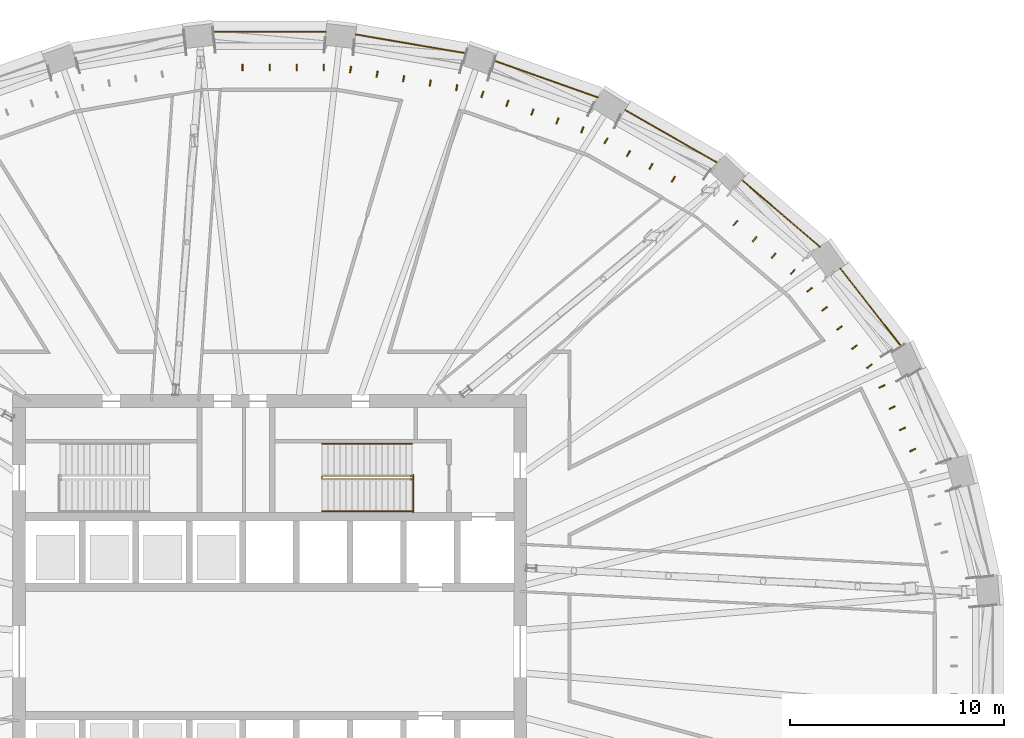
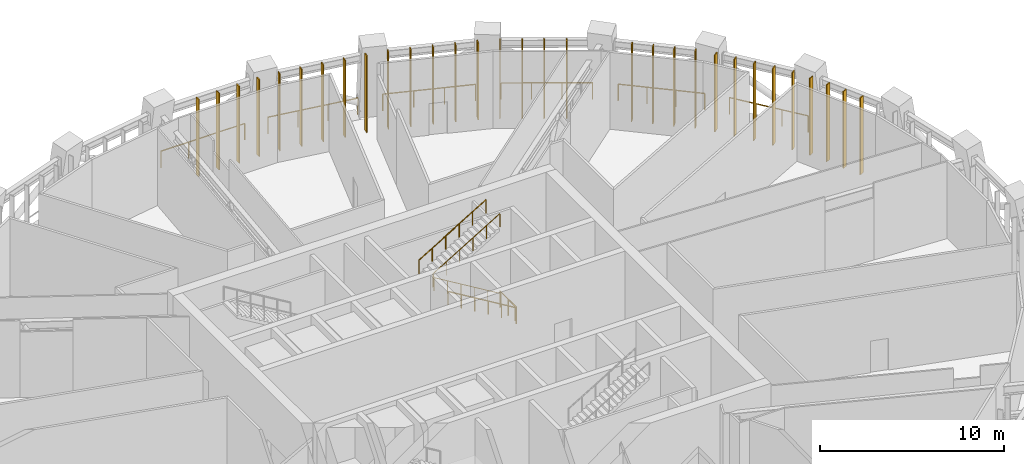
# One storey, part 19 of 21: 31 shading devices, 10 railings.
"""IFC4 building model written with IfcOpenShell, lengths in metres."""

from ifc_helpers import new_model, si_unit, direction, frame, origin, origin_2d, place, context, subcontext, project, spatial, rectangle, circle, extrude, material, material_profile, profile_set, type_object, element, save


model = new_model("IFC4")

# Units and contexts
model_context = context("Model", 3, precision=1e-05, world=origin(), true_north=direction((0.0, 1.0)))
body_context = subcontext(model_context, "Body", "Model", "MODEL_VIEW")
ifc_project = project(units=[si_unit("LENGTHUNIT", "METRE"), si_unit("AREAUNIT", "SQUARE_METRE"), si_unit("VOLUMEUNIT", "CUBIC_METRE"), si_unit("PLANEANGLEUNIT", "RADIAN"), si_unit("MASSUNIT", "GRAM", prefix="KILO")], contexts=[model_context])

# Site, building, storey
site_placement = place(None, origin())
site = spatial("IfcSite", under=ifc_project, at=site_placement, CompositionType="ELEMENT")
building_placement = place(site_placement, origin())
building = spatial("IfcBuilding", under=site, at=building_placement, Name="Halqa Exchange Tower", CompositionType="ELEMENT")
storey_placement = place(building_placement, frame((0.0, 0.0, 173.5)))
storey = spatial("IfcBuildingStorey", under=building, at=storey_placement, Name="L39", CompositionType="ELEMENT", Elevation=173.5)

# Shading devices
ifc_material_1 = material(Name="Anodised aluminium", Category="aluminium")
ifc_material_profile = material_profile(ifc_material_1, rectangle(XDim=0.300048828125, YDim=0.06005859375, at=origin_2d()), Name="AL FIN 300x60")
ifc_profile_set = profile_set([ifc_material_profile], Name="Anodised aluminium")
shading_device_type = type_object("IfcShadingDeviceType", Name="Aluminium louvre FIN 300 x 60", PredefinedType="USERDEFINED", material=ifc_profile_set)
for number, where, z_axis, x_axis, name in (
    (1, (30.026123046875, 9.40966796875, 0.0), (0.0, 0.0, 1.0), (-0.900378013542, -0.43510852983, 0.0), "Louvre FIN 2.2"),
    (2, (29.547607421875, 10.400390625, 0.0), (0.0, 0.0, 1.0), (-0.900378013542, -0.43510852983, 0.0), "Louvre FIN 2.3"),
    (3, (29.068603515625, 11.39111328125, 0.0), (0.0, 0.0, 1.0), (-0.900378013542, -0.43510852983, 0.0), "Louvre FIN 2.4"),
    (4, (28.58984375, 12.3818359375, 0.0), (0.0, 0.0, 1.0), (-0.900378013542, -0.43510852983, 0.0), "Louvre FIN 2.5"),
    (5, (28.002197265625, 13.32421875, 0.0), (0.0, 0.0, 1.0), (-0.788686159236, -0.614796016765, 0.0), "Louvre FIN 3.1"),
    (6, (27.305419921875, 14.218017578125, 0.0), (0.0, 0.0, 1.0), (-0.788686159236, -0.614796016765, 0.0), "Louvre FIN 3.2"),
    (7, (26.608642578125, 15.11181640625, 0.0), (0.0, 0.0, 1.0), (-0.788686159236, -0.614796016765, 0.0), "Louvre FIN 3.3"),
    (8, (25.911865234375, 16.005615234375, 0.0), (0.0, 0.0, 1.0), (-0.788686159236, -0.614796016765, 0.0), "Louvre FIN 3.4"),
    (9, (25.215087890625, 16.8994140625, 0.0), (0.0, 0.0, 1.0), (-0.788686159236, -0.614796016765, 0.0), "Louvre FIN 3.5"),
    (10, (24.42236328125, 17.727294921875, 0.0), (0.0, 0.0, 1.0), (-0.65078481863, -0.759262220739, 0.0), "Louvre FIN 4.1"),
    (11, (23.533203125, 18.4892578125, 0.0), (0.0, 0.0, 1.0), (-0.65078481863, -0.759262220739, 0.0), "Louvre FIN 4.2"),
    (12, (22.644287109375, 19.251220703125, 0.0), (0.0, 0.0, 1.0), (-0.65078481863, -0.759262220739, 0.0), "Louvre FIN 4.3"),
    (13, (21.755126953125, 20.01318359375, 0.0), (0.0, 0.0, 1.0), (-0.65078481863, -0.759262220739, 0.0), "Louvre FIN 4.4"),
    (14, (18.850341796875, 22.056396484375, 0.0), (0.0, 0.0, 1.0), (-0.496981533691, -0.86776111642, 0.0), "Louvre FIN 5.2"),
    (15, (17.802490234375, 22.65625, 0.0), (0.0, 0.0, 1.0), (-0.496981533691, -0.86776111642, 0.0), "Louvre FIN 5.3"),
    (16, (16.7548828125, 23.256103515625, 0.0), (0.0, 0.0, 1.0), (-0.496981533691, -0.86776111642, 0.0), "Louvre FIN 5.4"),
    (17, (15.70751953125, 23.856201171875, 0.0), (0.0, 0.0, 1.0), (-0.496981533691, -0.86776111642, 0.0), "Louvre FIN 5.5"),
    (18, (14.6005859375, 24.36328125, 0.0), (0.0, 0.0, 1.0), (-0.334580000129, -0.94236735062, 0.0), "Louvre FIN 6.1"),
    (19, (13.434814453125, 24.777099609375, 0.0), (0.0, 0.0, 1.0), (-0.334580000129, -0.94236735062, 0.0), "Louvre FIN 6.2"),
    (20, (12.268798828125, 25.191162109375, 0.0), (0.0, 0.0, 1.0), (-0.334580000129, -0.94236735062, 0.0), "Louvre FIN 6.3"),
    (21, (11.102783203125, 25.60498046875, 0.0), (0.0, 0.0, 1.0), (-0.334580000129, -0.94236735062, 0.0), "Louvre FIN 6.4"),
    (22, (9.93701171875, 26.01904296875, 0.0), (0.0, 0.0, 1.0), (-0.334580000129, -0.94236735062, 0.0), "Louvre FIN 6.5"),
    (23, (8.734619140625, 26.33154296875, 0.0), (0.0, 0.0, 1.0), (-0.168073033291, -0.985774545969, 0.0), "Louvre FIN 7.1"),
    (24, (7.49560546875, 26.54296875, 0.0), (0.0, 0.0, 1.0), (-0.168073033291, -0.985774545969, 0.0), "Louvre FIN 7.2"),
    (25, (6.256591796875, 26.754150390625, 0.0), (0.0, 0.0, 1.0), (-0.168073033291, -0.985774545969, 0.0), "Louvre FIN 7.3"),
    (26, (5.017578125, 26.96533203125, 0.0), (0.0, 0.0, 1.0), (-0.168073033291, -0.985774545969, 0.0), "Louvre FIN 7.4"),
    (27, (3.778564453125, 27.176513671875, 0.0), (0.0, 0.0, 1.0), (-0.168073033291, -0.985774545969, 0.0), "Louvre FIN 7.5"),
    (28, (2.52734375, 27.2822265625, 0.0), (0.0, 0.0, 1.0), (0.0, -1.0, 0.0), "Louvre FIN 8.1"),
    (29, (1.263671875, 27.2822265625, 0.0), (0.0, 0.0, 1.0), (0.0, -1.0, 0.0), "Louvre FIN 8.2"),
    (30, (0.0, 27.2822265625, 0.0), (0.0, 0.0, 1.0), (0.0, -1.0, 0.0), "Louvre FIN 8.3"),
    (31, (-1.263671875, 27.2822265625, 0.0), (0.0, 0.0, 1.0), (0.0, -1.0, 0.0), "Louvre FIN 8.4"),
):
    element("IfcShadingDevice", number, at=place(storey_placement, frame(where, z_axis=z_axis, x_axis=x_axis)), inside=storey, type_object=shading_device_type, Name=name, ObjectType="FIN", PredefinedType="USERDEFINED", context=body_context, shape_type="SweptSolid", body=[
        extrude(rectangle(XDim=0.300048828125, YDim=0.06005859375, at=origin_2d()), origin(), (0.0, 0.0, 1.0), 5.10009765625),
    ])

# Railings
ifc_material_2 = material(Name="Stainless steel", Category="steel")
railing_type_1 = type_object("IfcRailingType", Name="Guard 1100 stainless steel", PredefinedType="GUARDRAIL", material=ifc_material_2)
railing_1_placement = place(storey_placement, frame((29.4853515625, 14.258056640625, 0.0)))
element("IfcRailing", 32, at=railing_1_placement, inside=storey, type_object=railing_type_1, Name="Band edge guard 3", PredefinedType="GUARDRAIL", context=body_context, shape_type="SweptSolid", body=[
    extrude(circle(Radius=0.02392578125, at=origin_2d()), frame((0.0, 0.0, 1.076171875), z_axis=(-0.614787396714, 0.788692878655, 0.0), x_axis=(-0.788692878655, -0.614787396714, 0.0)), (0.0, 0.0, 1.0), 4.60888671875),
    extrude(circle(Radius=0.02099609375, at=origin_2d()), origin(), (0.0, 0.0, 1.0), 1.052001953125),
    extrude(circle(Radius=0.02099609375, at=origin_2d()), frame((-0.944580078125, 1.211669921875, 0.0)), (0.0, 0.0, 1.0), 1.052001953125),
    extrude(circle(Radius=0.02099609375, at=origin_2d()), frame((-1.888916015625, 2.42333984375, 0.0)), (0.0, 0.0, 1.0), 1.052001953125),
    extrude(circle(Radius=0.02099609375, at=origin_2d()), frame((-2.83349609375, 3.635009765625, 0.0)), (0.0, 0.0, 1.0), 1.052001953125),
])
railing_2_placement = place(storey_placement, frame((25.68994140625, 18.900634765625, 0.0)))
element("IfcRailing", 33, at=railing_2_placement, inside=storey, type_object=railing_type_1, Name="Band edge guard 4", PredefinedType="GUARDRAIL", context=body_context, shape_type="SweptSolid", body=[
    extrude(circle(Radius=0.02392578125, at=origin_2d()), frame((0.0, 0.0, 1.076171875), z_axis=(-0.759270984469, 0.65077459396, 0.0), x_axis=(-0.65077459396, -0.759270984469, 0.0)), (0.0, 0.0, 1.0), 4.79296875),
    extrude(circle(Radius=0.02099609375, at=origin_2d()), origin(), (0.0, 0.0, 1.0), 1.052001953125),
    extrude(circle(Radius=0.02099609375, at=origin_2d()), frame((-1.213134765625, 1.039794921875, 0.0)), (0.0, 0.0, 1.0), 1.052001953125),
    extrude(circle(Radius=0.02099609375, at=origin_2d()), frame((-2.426025390625, 2.079345703125, 0.0)), (0.0, 0.0, 1.0), 1.052001953125),
    extrude(circle(Radius=0.02099609375, at=origin_2d()), frame((-3.63916015625, 3.119140625, 0.0)), (0.0, 0.0, 1.0), 1.052001953125),
])
railing_3_placement = place(storey_placement, frame((20.911865234375, 22.8232421875, 0.0)))
element("IfcRailing", 34, at=railing_3_placement, inside=storey, type_object=railing_type_1, Name="Band edge guard 5", PredefinedType="GUARDRAIL", context=body_context, shape_type="SweptSolid", body=[
    extrude(circle(Radius=0.02392578125, at=origin_2d()), frame((0.0, 0.0, 1.076171875), z_axis=(-0.867750144397, 0.497000691044, 0.0), x_axis=(-0.497000691044, -0.867750144397, 0.0)), (0.0, 0.0, 1.0), 4.9716796875),
    extrude(circle(Radius=0.02099609375, at=origin_2d()), origin(), (0.0, 0.0, 1.0), 1.052001953125),
    extrude(circle(Radius=0.02099609375, at=origin_2d()), frame((-1.43798828125, 0.82373046875, 0.0)), (0.0, 0.0, 1.0), 1.052001953125),
    extrude(circle(Radius=0.02099609375, at=origin_2d()), frame((-2.876220703125, 1.647216796875, 0.0)), (0.0, 0.0, 1.0), 1.052001953125),
    extrude(circle(Radius=0.02099609375, at=origin_2d()), frame((-4.314208984375, 2.470947265625, 0.0)), (0.0, 0.0, 1.0), 1.052001953125),
])
railing_4_placement = place(storey_placement, frame((15.33056640625, 25.876220703125, 0.0)))
element("IfcRailing", 35, at=railing_4_placement, inside=storey, type_object=railing_type_1, Name="Band edge guard 6", PredefinedType="GUARDRAIL", context=body_context, shape_type="SweptSolid", body=[
    extrude(circle(Radius=0.02392578125, at=origin_2d()), frame((0.0, 0.0, 1.076171875), z_axis=(-0.942361789269, 0.334595663639, 0.0), x_axis=(-0.334595663639, -0.942361789269, 0.0)), (0.0, 0.0, 1.0), 5.119384765625),
    extrude(circle(Radius=0.02099609375, at=origin_2d()), origin(), (0.0, 0.0, 1.0), 1.052001953125),
    extrude(circle(Radius=0.02099609375, at=origin_2d()), frame((-1.608154296875, 0.571044921875, 0.0)), (0.0, 0.0, 1.0), 1.052001953125),
    extrude(circle(Radius=0.02099609375, at=origin_2d()), frame((-3.216064453125, 1.141845703125, 0.0)), (0.0, 0.0, 1.0), 1.052001953125),
    extrude(circle(Radius=0.02099609375, at=origin_2d()), frame((-4.82421875, 1.712890625, 0.0)), (0.0, 0.0, 1.0), 1.052001953125),
])
railing_5_placement = place(storey_placement, frame((9.15673828125, 27.94091796875, 0.0)))
element("IfcRailing", 36, at=railing_5_placement, inside=storey, type_object=railing_type_1, Name="Band edge guard 7", PredefinedType="GUARDRAIL", context=body_context, shape_type="SweptSolid", body=[
    extrude(circle(Radius=0.02392578125, at=origin_2d()), frame((0.0, 0.0, 1.076171875), z_axis=(-0.98577352138, 0.168079042556, 0.0), x_axis=(-0.168079042556, -0.98577352138, 0.0)), (0.0, 0.0, 1.0), 5.216064453125),
    extrude(circle(Radius=0.02099609375, at=origin_2d()), origin(), (0.0, 0.0, 1.0), 1.052001953125),
    extrude(circle(Radius=0.02099609375, at=origin_2d()), frame((-1.7138671875, 0.292236328125, 0.0)), (0.0, 0.0, 1.0), 1.052001953125),
    extrude(circle(Radius=0.02099609375, at=origin_2d()), frame((-3.427978515625, 0.58447265625, 0.0)), (0.0, 0.0, 1.0), 1.052001953125),
    extrude(circle(Radius=0.02099609375, at=origin_2d()), frame((-5.141845703125, 0.876708984375, 0.0)), (0.0, 0.0, 1.0), 1.052001953125),
])
railing_6_placement = place(storey_placement, frame((2.624755859375, 28.935302734375, 0.0)))
element("IfcRailing", 37, at=railing_6_placement, inside=storey, type_object=railing_type_1, Name="Band edge guard 8", PredefinedType="GUARDRAIL", context=body_context, shape_type="SweptSolid", body=[
    extrude(circle(Radius=0.02392578125, at=origin_2d()), frame((0.0, 0.0, 1.076171875), z_axis=(-1.0, 0.0, 0.0), x_axis=(0.0, -1.0, 0.0)), (0.0, 0.0, 1.0), 5.24951171875),
    extrude(circle(Radius=0.02099609375, at=origin_2d()), origin(), (0.0, 0.0, 1.0), 1.052001953125),
    extrude(circle(Radius=0.02099609375, at=origin_2d()), frame((-1.749755859375, 0.0, 0.0)), (0.0, 0.0, 1.0), 1.052001953125),
    extrude(circle(Radius=0.02099609375, at=origin_2d()), frame((-3.499755859375, 0.0, 0.0)), (0.0, 0.0, 1.0), 1.052001953125),
    extrude(circle(Radius=0.02099609375, at=origin_2d()), frame((-5.24951171875, 0.0, 0.0)), (0.0, 0.0, 1.0), 1.052001953125),
])
railing_type_2 = type_object("IfcRailingType", Name="Stair handrail 900", PredefinedType="HANDRAIL", material=ifc_material_2)
railing_7_placement = place(storey_placement, frame((6.64990234375, 8.06005859375, 0.168701171875)))
element("IfcRailing", 38, at=railing_7_placement, inside=storey, type_object=railing_type_2, Name="Handrail ST2.1", PredefinedType="HANDRAIL", context=body_context, shape_type="SweptSolid", body=[
    extrude(circle(Radius=0.02392578125, at=origin_2d()), frame((0.0, 0.0, 0.8759765625), z_axis=(-0.856476492594, 0.0, 0.516186030065), x_axis=(0.0, -1.0, 0.0)), (0.0, 0.0, 1.0), 4.90380859375),
    extrude(circle(Radius=0.02392578125, at=origin_2d()), frame((-4.199951171875, 0.0, 3.4072265625), z_axis=(0.0, 0.610043206925, 0.792368150348), x_axis=(-1.0, 0.0, 0.0)), (0.0, 0.0, 1.0), 0.212890625),
    extrude(circle(Radius=0.02392578125, at=origin_2d()), frame((-4.199951171875, 0.1298828125, 3.57568359375), z_axis=(0.856476492594, 0.0, 0.516186030065), x_axis=(0.0, 1.0, 0.0)), (0.0, 0.0, 1.0), 4.90380859375),
    extrude(circle(Radius=0.02099609375, at=origin_2d()), origin(), (0.0, 0.0, 1.0), 0.851806640625),
    extrude(circle(Radius=0.02099609375, at=origin_2d()), frame((-0.840087890625, 0.0, 0.50634765625)), (0.0, 0.0, 1.0), 0.851806640625),
    extrude(circle(Radius=0.02099609375, at=origin_2d()), frame((-1.679931640625, 0.0, 1.012451171875)), (0.0, 0.0, 1.0), 0.851806640625),
    extrude(circle(Radius=0.02099609375, at=origin_2d()), frame((-2.52001953125, 0.0, 1.518798828125)), (0.0, 0.0, 1.0), 0.851806640625),
    extrude(circle(Radius=0.02099609375, at=origin_2d()), frame((-3.35986328125, 0.0, 2.02490234375)), (0.0, 0.0, 1.0), 0.851806640625),
    extrude(circle(Radius=0.02099609375, at=origin_2d()), frame((-4.199951171875, 0.0, 2.53125)), (0.0, 0.0, 1.0), 0.851806640625),
    extrude(circle(Radius=0.02099609375, at=origin_2d()), frame((-4.199951171875, 0.1298828125, 2.699951171875)), (0.0, 0.0, 1.0), 0.851806640625),
    extrude(circle(Radius=0.02099609375, at=origin_2d()), frame((-3.35986328125, 0.1298828125, 3.206298828125)), (0.0, 0.0, 1.0), 0.851806640625),
    extrude(circle(Radius=0.02099609375, at=origin_2d()), frame((-2.52001953125, 0.1298828125, 3.71240234375)), (0.0, 0.0, 1.0), 0.851806640625),
    extrude(circle(Radius=0.02099609375, at=origin_2d()), frame((-1.679931640625, 0.1298828125, 4.21875)), (0.0, 0.0, 1.0), 0.851806640625),
    extrude(circle(Radius=0.02099609375, at=origin_2d()), frame((-0.840087890625, 0.1298828125, 4.724853515625)), (0.0, 0.0, 1.0), 0.851806640625),
    extrude(circle(Radius=0.02099609375, at=origin_2d()), frame((0.0, 0.1298828125, 5.231201171875)), (0.0, 0.0, 1.0), 0.851806640625),
])
railing_8_placement = place(storey_placement, frame((6.64990234375, 6.550048828125, 0.168701171875)))
element("IfcRailing", 39, at=railing_8_placement, inside=storey, type_object=railing_type_2, Name="Handrail ST2.2", PredefinedType="HANDRAIL", context=body_context, shape_type="SweptSolid", body=[
    extrude(circle(Radius=0.02392578125, at=origin_2d()), frame((0.0, 0.0, 0.8759765625), z_axis=(-0.856476492594, 0.0, 0.516186030065), x_axis=(0.0, -1.0, 0.0)), (0.0, 0.0, 1.0), 4.90380859375),
    extrude(circle(Radius=0.02099609375, at=origin_2d()), origin(), (0.0, 0.0, 1.0), 0.851806640625),
    extrude(circle(Radius=0.02099609375, at=origin_2d()), frame((-0.840087890625, 0.0, 0.50634765625)), (0.0, 0.0, 1.0), 0.851806640625),
    extrude(circle(Radius=0.02099609375, at=origin_2d()), frame((-1.679931640625, 0.0, 1.012451171875)), (0.0, 0.0, 1.0), 0.851806640625),
    extrude(circle(Radius=0.02099609375, at=origin_2d()), frame((-2.52001953125, 0.0, 1.518798828125)), (0.0, 0.0, 1.0), 0.851806640625),
    extrude(circle(Radius=0.02099609375, at=origin_2d()), frame((-3.35986328125, 0.0, 2.02490234375)), (0.0, 0.0, 1.0), 0.851806640625),
    extrude(circle(Radius=0.02099609375, at=origin_2d()), frame((-4.199951171875, 0.0, 2.53125)), (0.0, 0.0, 1.0), 0.851806640625),
])
railing_9_placement = place(storey_placement, frame((2.449951171875, 9.699951171875, 2.86865234375)))
element("IfcRailing", 40, at=railing_9_placement, inside=storey, type_object=railing_type_2, Name="Handrail ST2.3", PredefinedType="HANDRAIL", context=body_context, shape_type="SweptSolid", body=[
    extrude(circle(Radius=0.02392578125, at=origin_2d()), frame((0.0, 0.0, 0.8759765625), z_axis=(0.856476492594, 0.0, 0.516186030065), x_axis=(0.0, 1.0, 0.0)), (0.0, 0.0, 1.0), 4.90380859375),
    extrude(circle(Radius=0.02099609375, at=origin_2d()), origin(), (0.0, 0.0, 1.0), 0.851806640625),
    extrude(circle(Radius=0.02099609375, at=origin_2d()), frame((0.840087890625, 0.0, 0.50634765625)), (0.0, 0.0, 1.0), 0.851806640625),
    extrude(circle(Radius=0.02099609375, at=origin_2d()), frame((1.679931640625, 0.0, 1.012451171875)), (0.0, 0.0, 1.0), 0.851806640625),
    extrude(circle(Radius=0.02099609375, at=origin_2d()), frame((2.52001953125, 0.0, 1.518798828125)), (0.0, 0.0, 1.0), 0.851806640625),
    extrude(circle(Radius=0.02099609375, at=origin_2d()), frame((3.35986328125, 0.0, 2.02490234375)), (0.0, 0.0, 1.0), 0.851806640625),
    extrude(circle(Radius=0.02099609375, at=origin_2d()), frame((4.199951171875, 0.0, 2.53125)), (0.0, 0.0, 1.0), 0.851806640625),
])
railing_type_3 = type_object("IfcRailingType", Name="Stair well guard 1100", PredefinedType="GUARDRAIL", material=ifc_material_2)
railing_10_placement = place(storey_placement, frame((6.699951171875, 6.5, 0.0)))
element("IfcRailing", 41, at=railing_10_placement, inside=storey, type_object=railing_type_3, Name="Guard ST2 well", PredefinedType="GUARDRAIL", context=body_context, shape_type="SweptSolid", body=[
    extrude(circle(Radius=0.02392578125, at=origin_2d()), frame((0.0, 0.0, 1.076171875), z_axis=(0.0, 1.0, 0.0), x_axis=(-1.0, 0.0, 0.0)), (0.0, 0.0, 1.0), 1.75),
    extrude(circle(Radius=0.02099609375, at=origin_2d()), origin(), (0.0, 0.0, 1.0), 1.052001953125),
    extrude(circle(Radius=0.02099609375, at=origin_2d()), frame((0.0, 0.875, 0.0)), (0.0, 0.0, 1.0), 1.052001953125),
    extrude(circle(Radius=0.02099609375, at=origin_2d()), frame((0.0, 1.75, 0.0)), (0.0, 0.0, 1.0), 1.052001953125),
])

save(model, "model.ifc")
